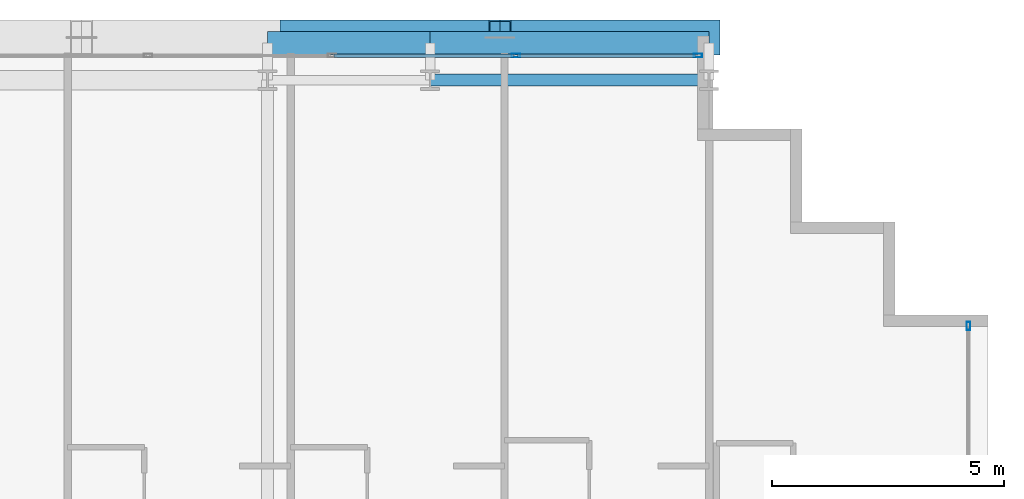
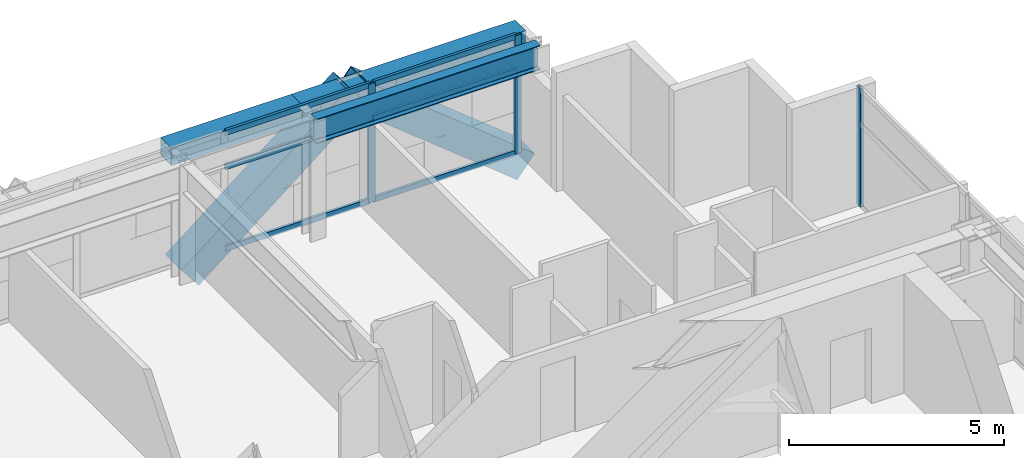
# One storey, part 25 of 39: 11 members, 3 beams, 2 elements without a shape of their own.
"""IFC4 building model written with IfcOpenShell, lengths in metres."""

from ifc_helpers import new_model, si_unit, direction, frame, origin, origin_2d, place, context, subcontext, project, spatial, hollow_rectangle, i_section, extrude, source, transform, mapped, material, layer, layer_set, material_profile, profile_set, type_object, element, aggregate, save


model = new_model("IFC4")

# Units and contexts
model_context = context("Model", 3, precision=1e-05, world=origin(), true_north=direction((0.0, 1.0)))
body_context = subcontext(model_context, "Body", "Model", "MODEL_VIEW")
ifc_project = project(units=[si_unit("LENGTHUNIT", "METRE"), si_unit("AREAUNIT", "SQUARE_METRE"), si_unit("VOLUMEUNIT", "CUBIC_METRE"), si_unit("PLANEANGLEUNIT", "RADIAN"), si_unit("MASSUNIT", "GRAM", prefix="KILO")], contexts=[model_context])

# Site, building, storey
site_placement = place(None, origin())
site = spatial("IfcSite", under=ifc_project, at=site_placement, CompositionType="ELEMENT")
building_placement = place(site_placement, origin())
building = spatial("IfcBuilding", under=site, at=building_placement, Name="Ocotamira Hotel", CompositionType="ELEMENT")
storey_placement = place(building_placement, frame((0.0, 0.0, 104.39990234375)))
storey = spatial("IfcBuildingStorey", under=building, at=storey_placement, Name="L25", CompositionType="ELEMENT", Elevation=104.39990234375)

# Beams
ifc_material_1 = material(Name="Steel ASTM A992 Grade 50", Category="steel")
ifc_material_profile_1 = material_profile(ifc_material_1, i_section(OverallWidth=0.256103515625, OverallDepth=0.693115234375, WebThickness=0.014404296875, FlangeThickness=0.023681640625, FilletRadius=0.01611328125, at=origin_2d()), Name="W27X114")
ifc_profile_set_1 = profile_set([ifc_material_profile_1], Name="Steel ASTM A992 Grade 50")
beam_type_1 = type_object("IfcBeamType", Name="BM-PRIM-W27X114", PredefinedType="BEAM", material=ifc_profile_set_1)
shared_shape_1 = source(origin(), body_context, "Body", "SweptSolid", [
    extrude(i_section(OverallWidth=0.256103515625, OverallDepth=0.693115234375, WebThickness=0.014404296875, FlangeThickness=0.023681640625, FilletRadius=0.01611328125, at=origin_2d()), origin(), (0.0, 0.0, 1.0), 6.0),
])
beam_1_placement = place(storey_placement, frame((44.0, 49.050048828125, 3.013671875), z_axis=(1.0, 0.0, 0.0), x_axis=(0.0, 1.0, 0.0)))
element("IfcBeam", 1, at=beam_1_placement, inside=storey, type_object=beam_type_1, Name="L25 Girder Y49.05 X44-50", PredefinedType="BEAM", context=body_context, shape_type="MappedRepresentation", body=[
    mapped(shared_shape_1, transform((0.0, 0.0, 0.0), scale=1.0)),
])
ifc_material_2 = material(Name="Steel ASTM A500 Grade C", Category="steel")
ifc_material_profile_2 = material_profile(ifc_material_2, hollow_rectangle(XDim=0.5, YDim=0.5, WallThickness=0.02001953125, at=origin_2d()), Name="HSS500X500X20")
ifc_profile_set_2 = profile_set([ifc_material_profile_2], Name="Steel ASTM A500 Grade C")
beam_type_2 = type_object("IfcBeamType", Name="BM-SPAN-HSS500", PredefinedType="USERDEFINED", material=ifc_profile_set_2)
shared_shape_2 = source(origin(), body_context, "Body", "SweptSolid", [
    extrude(hollow_rectangle(XDim=0.5, YDim=0.5, WallThickness=0.02001953125, at=origin_2d()), origin(), (0.0, 0.0, 1.0), 6.0),
])
beam_2_placement = place(storey_placement, frame((44.0, 49.85009765625, 3.110107421875), z_axis=(1.0, 0.0, 0.0), x_axis=(0.0, 1.0, 0.0)))
element("IfcBeam", 2, at=beam_2_placement, inside=storey, type_object=beam_type_2, Name="L25 Edge Spandrel N X44-50", ObjectType="SPANDREL", PredefinedType="USERDEFINED", context=body_context, shape_type="MappedRepresentation", body=[
    mapped(shared_shape_2, transform((0.0, 0.0, 0.0), scale=1.0)),
])
shared_shape_3 = source(origin(), body_context, "Body", "SweptSolid", [
    extrude(hollow_rectangle(XDim=0.5, YDim=0.5, WallThickness=0.02001953125, at=origin_2d()), origin(), (0.0, 0.0, 1.0), 3.5),
])
beam_3_placement = place(storey_placement, frame((40.5, 49.85009765625, 3.110107421875), z_axis=(1.0, 0.0, 0.0), x_axis=(0.0, 1.0, 0.0)))
element("IfcBeam", 3, at=beam_3_placement, inside=storey, type_object=beam_type_2, Name="L25 Edge Spandrel N X40.5-44", ObjectType="SPANDREL", PredefinedType="USERDEFINED", context=body_context, shape_type="MappedRepresentation", body=[
    mapped(shared_shape_3, transform((0.0, 0.0, 0.0), scale=1.0)),
])

# Members
ifc_material_3 = material(Name="Pale-metal coated steel ASTM A913 Grade 65", Category="steel")
ifc_material_profile_3 = material_profile(ifc_material_3, hollow_rectangle(XDim=0.75, YDim=0.75, WallThickness=0.028076171875, at=origin_2d()), Name="BOX750X750X28")
ifc_profile_set_3 = profile_set([ifc_material_profile_3], Name="Pale-metal coated steel ASTM A913 Grade 65")
member_type_1 = type_object("IfcMemberType", Name="MEM-EXO-BOX750", PredefinedType="BRACE", material=ifc_profile_set_3)
shared_shape_4 = source(origin(), body_context, "Body", "SweptSolid", [
    extrude(hollow_rectangle(XDim=0.75, YDim=0.75, WallThickness=0.028076171875, at=origin_2d()), origin(), (0.0, 0.0, 1.0), 5.762939453125),
])
for number, where, z_axis, x_axis, name in (
    (4, (41.0, 49.969970703125, -0.489990234375), (0.780860543151, 0.0, 0.624705380279), (0.0, 1.0, 0.0), "L25 Exoskeleton Diagrid N3.1"),
    (5, (50.0, 49.969970703125, -0.489990234375), (-0.780860543151, 0.0, 0.624705380279), (0.0, -1.0, 0.0), "L25 Exoskeleton Diagrid N3.2"),
):
    element("IfcMember", number, at=place(storey_placement, frame(where, z_axis=z_axis, x_axis=x_axis)), inside=storey, type_object=member_type_1, Name=name, PredefinedType="BRACE", context=body_context, shape_type="MappedRepresentation", body=[
        mapped(shared_shape_4, transform((0.0, 0.0, 0.0), scale=1.0)),
    ])

# Curtain wall, members
ifc_material_4 = material(Name="Anodised pale-metal aluminium and solar glass", Category="aluminium")
ifc_layer = layer(ifc_material_4, 0.179931640625)
ifc_layer_set = layer_set([ifc_layer], Name="Anodised pale-metal aluminium and solar glass")
curtain_wall_type = type_object("IfcCurtainWallType", Name="CW-SYS3-Z2", PredefinedType="NOTDEFINED", material=ifc_layer_set)
curtain_wall_1_placement = place(storey_placement, origin())
curtain_wall_1 = element("IfcCurtainWall", 6, at=curtain_wall_1_placement, inside=storey, type_object=curtain_wall_type, Name="L25 Curtain Wall CW-3 CW-L25-N", PredefinedType="NOTDEFINED")
ifc_material_5 = material(Name="Anodised pale-metal aluminium 6063-T6", Category="aluminium")
ifc_material_profile_4 = material_profile(ifc_material_5, hollow_rectangle(XDim=0.074951171875, YDim=0.14990234375, WallThickness=0.006103515625, at=origin_2d()), Name="HSS150X75X6")
ifc_profile_set_4 = profile_set([ifc_material_profile_4], Name="Anodised pale-metal aluminium 6063-T6")
member_type_2 = type_object("IfcMemberType", Name="CWT-150X75", PredefinedType="USERDEFINED", material=ifc_profile_set_4)
shared_shape_5 = source(origin(), body_context, "Body", "SweptSolid", [
    extrude(hollow_rectangle(XDim=0.074951171875, YDim=0.14990234375, WallThickness=0.006103515625, at=origin_2d()), origin(), (0.0, 0.0, 1.0), 3.83544921875),
])
member_1_placement = place(storey_placement, frame((45.884521484375, 49.580078125, 0.03759765625), z_axis=(1.0, 0.0, 0.0), x_axis=(0.0, 1.0, 0.0)))
member_1 = element("IfcMember", 7, at=member_1_placement, type_object=member_type_2, Name="CW-3 transom 9.1", ObjectType="TRANSOM", PredefinedType="USERDEFINED", context=body_context, shape_type="MappedRepresentation", body=[
    mapped(shared_shape_5, transform((0.0, 0.0, 0.0), scale=1.0)),
])
member_2_placement = place(storey_placement, frame((45.884521484375, 49.580078125, 2.35009765625), z_axis=(1.0, 0.0, 0.0), x_axis=(0.0, 1.0, 0.0)))
member_2 = element("IfcMember", 8, at=member_2_placement, type_object=member_type_2, Name="CW-3 transom 9.2", ObjectType="TRANSOM", PredefinedType="USERDEFINED", context=body_context, shape_type="MappedRepresentation", body=[
    mapped(shared_shape_5, transform((0.0, 0.0, 0.0), scale=1.0)),
])
member_3_placement = place(storey_placement, frame((45.884521484375, 49.580078125, 3.322509765625), z_axis=(1.0, 0.0, 0.0), x_axis=(0.0, 1.0, 0.0)))
member_3 = element("IfcMember", 9, at=member_3_placement, type_object=member_type_2, Name="CW-3 transom 9.3", ObjectType="TRANSOM", PredefinedType="USERDEFINED", context=body_context, shape_type="MappedRepresentation", body=[
    mapped(shared_shape_5, transform((0.0, 0.0, 0.0), scale=1.0)),
])
shared_shape_6 = source(origin(), body_context, "Body", "SweptSolid", [
    extrude(hollow_rectangle(XDim=0.074951171875, YDim=0.14990234375, WallThickness=0.006103515625, at=origin_2d()), origin(), (0.0, 0.0, 1.0), 3.87548828125),
])
member_4_placement = place(storey_placement, frame((41.928955078125, 49.580078125, 0.03759765625), z_axis=(1.0, 0.0, 0.0), x_axis=(0.0, 1.0, 0.0)))
member_4 = element("IfcMember", 10, at=member_4_placement, type_object=member_type_2, Name="CW-3 transom 8.1", ObjectType="TRANSOM", PredefinedType="USERDEFINED", context=body_context, shape_type="MappedRepresentation", body=[
    mapped(shared_shape_6, transform((0.0, 0.0, 0.0), scale=1.0)),
])
member_5_placement = place(storey_placement, frame((41.928955078125, 49.580078125, 2.35009765625), z_axis=(1.0, 0.0, 0.0), x_axis=(0.0, 1.0, 0.0)))
member_5 = element("IfcMember", 11, at=member_5_placement, type_object=member_type_2, Name="CW-3 transom 8.2", ObjectType="TRANSOM", PredefinedType="USERDEFINED", context=body_context, shape_type="MappedRepresentation", body=[
    mapped(shared_shape_6, transform((0.0, 0.0, 0.0), scale=1.0)),
])
member_6_placement = place(storey_placement, frame((41.928955078125, 49.580078125, 3.322509765625), z_axis=(1.0, 0.0, 0.0), x_axis=(0.0, 1.0, 0.0)))
member_6 = element("IfcMember", 12, at=member_6_placement, type_object=member_type_2, Name="CW-3 transom 8.3", ObjectType="TRANSOM", PredefinedType="USERDEFINED", context=body_context, shape_type="MappedRepresentation", body=[
    mapped(shared_shape_6, transform((0.0, 0.0, 0.0), scale=1.0)),
])
ifc_material_profile_5 = material_profile(ifc_material_5, hollow_rectangle(XDim=0.080078125, YDim=0.179931640625, WallThickness=0.006103515625, at=origin_2d()), Name="HSS180X80X6")
ifc_profile_set_5 = profile_set([ifc_material_profile_5], Name="Anodised pale-metal aluminium 6063-T6")
member_type_3 = type_object("IfcMemberType", Name="CWM-180X75", PredefinedType="MULLION", material=ifc_profile_set_5)
shared_shape_7 = source(origin(), body_context, "Body", "SweptSolid", [
    extrude(hollow_rectangle(XDim=0.080078125, YDim=0.179931640625, WallThickness=0.006103515625, at=origin_2d()), origin(), (0.0, 0.0, 1.0), 3.360107421875),
])
member_7_placement = place(storey_placement, frame((45.844482421875, 49.580078125, 0.0), z_axis=(0.0, 0.0, 1.0), x_axis=(0.0, 1.0, 0.0)))
member_7 = element("IfcMember", 13, at=member_7_placement, type_object=member_type_3, Name="CW-3 mullion 9", PredefinedType="MULLION", context=body_context, shape_type="MappedRepresentation", body=[
    mapped(shared_shape_7, transform((0.0, 0.0, 0.0), scale=1.0)),
])
member_8_placement = place(storey_placement, frame((49.760009765625, 49.580078125, 0.0), z_axis=(0.0, 0.0, 1.0), x_axis=(0.0, 1.0, 0.0)))
member_8 = element("IfcMember", 14, at=member_8_placement, type_object=member_type_3, Name="CW-3 mullion 10", PredefinedType="MULLION", context=body_context, shape_type="MappedRepresentation", body=[
    mapped(shared_shape_7, transform((0.0, 0.0, 0.0), scale=1.0)),
])
aggregate(curtain_wall_1, [member_7, member_8, member_4, member_5, member_6, member_1, member_2, member_3])

# Curtain wall, member
curtain_wall_2_placement = place(storey_placement, origin())
curtain_wall_2 = element("IfcCurtainWall", 15, at=curtain_wall_2_placement, inside=storey, type_object=curtain_wall_type, Name="L25 Curtain Wall CW-3 CW-L25-E", PredefinedType="NOTDEFINED")
member_9_placement = place(storey_placement, frame((55.580078125, 43.760009765625, 0.0), z_axis=(0.0, 0.0, 1.0), x_axis=(-1.0, 0.0, 0.0)))
member_9 = element("IfcMember", 16, at=member_9_placement, type_object=member_type_3, Name="CW-3 mullion 8", PredefinedType="MULLION", context=body_context, shape_type="MappedRepresentation", body=[
    mapped(shared_shape_7, transform((0.0, 0.0, 0.0), scale=1.0)),
])
aggregate(curtain_wall_2, [member_9])

save(model, "model.ifc")
